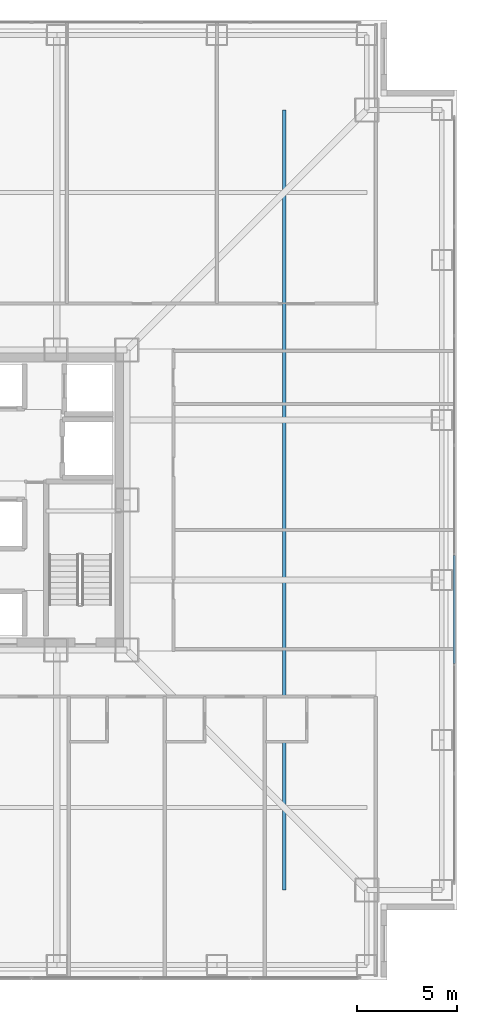
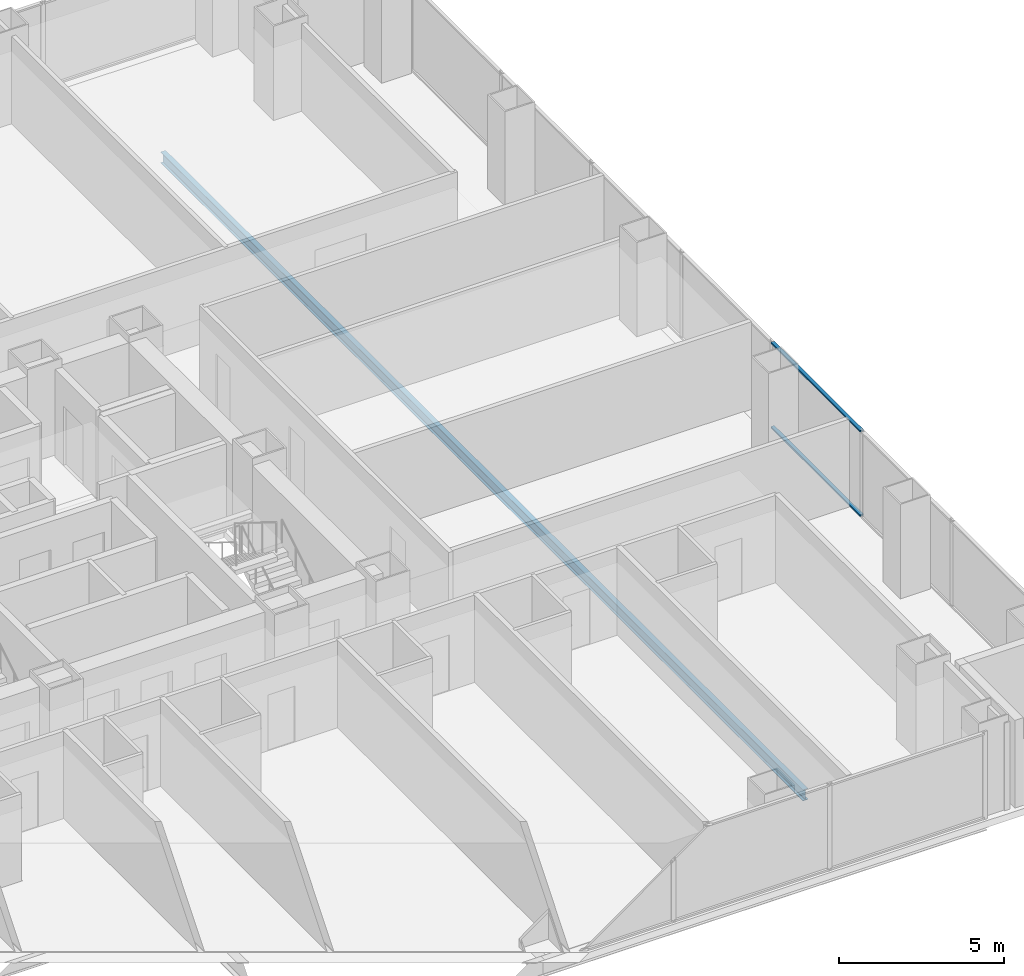
# One storey, part 9 of 20: 2 members, 1 beam, 1 element without a shape of its own.
"""IFC4 building model written with IfcOpenShell, lengths in metres."""

import ifcopenshell
import ifcopenshell.guid

model = None  # the IFC model being written
_history = None  # IfcOwnerHistory: only IFC2X3 demands one
_inside = {}  # id of a spatial element -> (the spatial element, [elements in it])
_under = {}  # id of a project, library or spatial element -> (it, [spatial elements below it])
_declared = {}  # id of a project -> (the project, [libraries it declares])
_typed = {}  # id of a type object -> (the type object, [elements of that type])
_made_of = {}  # id of a material, layer set ... -> (it, [elements and type objects made of it])


def new_model(schema):
    """Start an empty IFC model of exactly this schema.

    Asked for "IFC4X3", IfcOpenShell would pick the latest addendum, in which some entities
    have other attributes; the version numbers below select the first issue.
    IFC2X3 requires an IfcOwnerHistory on every rooted entity: one is made here for all.
    """
    global model, _history
    if schema == "IFC4X3":
        model = ifcopenshell.file(schema_version=(4, 3, 0, 0))
    else:
        model = ifcopenshell.file(schema=schema)
    _inside.clear()
    _under.clear()
    _declared.clear()
    _typed.clear()
    _made_of.clear()
    _history = None
    if model.schema == "IFC2X3":
        org = make("IfcOrganization", Name="unknown")
        user = make(
            "IfcPersonAndOrganization",
            ThePerson=make("IfcPerson", FamilyName="unknown"),
            TheOrganization=org,
        )
        app = make(
            "IfcApplication",
            ApplicationDeveloper=org,
            Version="unknown",
            ApplicationFullName="unknown",
            ApplicationIdentifier="unknown",
        )
        _history = make(
            "IfcOwnerHistory",
            OwningUser=user,
            OwningApplication=app,
            ChangeAction="ADDED",
            CreationDate=0,
        )
    return model


def make(cls, **values):
    """One entity of the class cls with the attributes given. An attribute that is None is left unset."""
    return model.create_entity(
        cls, **{name: value for name, value in values.items() if value is not None}
    )


def rooted(cls, **values):
    """An entity with a GlobalId (a new one), such as an element, a storey or a relation."""
    return make(cls, GlobalId=ifcopenshell.guid.new(), OwnerHistory=_history, **values)


def si_unit(unit_type, name, prefix=None):
    """IfcSIUnit, for example si_unit("LENGTHUNIT", "METRE", prefix="MILLI")."""
    return make("IfcSIUnit", UnitType=unit_type, Prefix=prefix, Name=name)


def assignment(units):
    """IfcUnitAssignment: the units of a project."""
    return None if units is None else make("IfcUnitAssignment", Units=units)


def point(xyz):
    """IfcCartesianPoint."""
    return None if xyz is None else make("IfcCartesianPoint", Coordinates=xyz)


def direction(xyz):
    """IfcDirection."""
    return None if xyz is None else make("IfcDirection", DirectionRatios=xyz)


def frame(location, z_axis=None, x_axis=None):
    """IfcAxis2Placement3D, a coordinate frame: its origin and axes. An axis left out is left unset."""
    return make(
        "IfcAxis2Placement3D",
        Location=point(location),
        Axis=direction(z_axis),
        RefDirection=direction(x_axis),
    )


def frame_2d(location, x_axis=None):
    """IfcAxis2Placement2D, a coordinate frame in the plane: its origin and x axis."""
    return make(
        "IfcAxis2Placement2D", Location=point(location), RefDirection=direction(x_axis)
    )


def origin():
    """The frame at (0, 0, 0) with its axes left unset."""
    return frame((0.0, 0.0, 0.0))


def origin_2d():
    """The frame at (0, 0) in the plane with its x axis left unset."""
    return frame_2d((0.0, 0.0))


def place(relative_to, where):
    """IfcLocalPlacement: puts the frame where relative to a parent placement (None: the world)."""
    return make(
        "IfcLocalPlacement", PlacementRelTo=relative_to, RelativePlacement=where
    )


def context(
    kind, dimensions, precision=None, world=None, true_north=None, identifier=None
):
    """IfcGeometricRepresentationContext, for example the 3D "Model" context."""
    return make(
        "IfcGeometricRepresentationContext",
        ContextIdentifier=identifier,
        ContextType=kind,
        CoordinateSpaceDimension=dimensions,
        Precision=precision,
        WorldCoordinateSystem=world,
        TrueNorth=true_north,
    )


def subcontext(parent, identifier, kind, view, scale=None):
    """IfcGeometricRepresentationSubContext, for example "Body" below "Model"."""
    return make(
        "IfcGeometricRepresentationSubContext",
        ContextIdentifier=identifier,
        ContextType=kind,
        ParentContext=parent,
        TargetScale=scale,
        TargetView=view,
    )


def project(units=None, contexts=None):
    """IfcProject with its units and contexts."""
    return rooted(
        "IfcProject",
        Name="project",
        RepresentationContexts=contexts,
        UnitsInContext=assignment(units),
    )


def spatial(cls, under=None, at=None, **own):
    """A site, building, storey or space (cls), placed at a placement, below another one or the project."""
    s = rooted(cls, ObjectPlacement=at, **own)
    if under is not None:
        _under.setdefault(under.id(), (under, []))[1].append(s)
    return s


def profile(cls, at=None, kind="AREA", **sizes):
    """A parametric profile (cls). Its sizes go by their IFC names, for example OverallWidth=200.0."""
    return make(cls, ProfileType=kind, Position=at, **sizes)


def rectangle(**sizes):
    """IfcRectangleProfileDef."""
    return profile("IfcRectangleProfileDef", **sizes)


def i_section(**sizes):
    """IfcIShapeProfileDef."""
    return profile("IfcIShapeProfileDef", **sizes)


def extrude(swept, where, along, depth):
    """IfcExtrudedAreaSolid: the profile swept, set in the frame where, extruded along a direction by depth."""
    return make(
        "IfcExtrudedAreaSolid",
        SweptArea=swept,
        Position=where,
        ExtrudedDirection=direction(along),
        Depth=depth,
    )


def shape(context_of_items, identifier, shape_type, items):
    """IfcShapeRepresentation: the items that make up one representation, for example the "Body"."""
    return make(
        "IfcShapeRepresentation",
        ContextOfItems=context_of_items,
        RepresentationIdentifier=identifier,
        RepresentationType=shape_type,
        Items=items,
    )


def material(Name=None, Category=None):
    """IfcMaterial."""
    return make("IfcMaterial", Name=Name, Category=Category)


def layer(
    of_material, thickness, ventilated=None, Name=None, Category=None, Priority=None
):
    """IfcMaterialLayer: one layer of a wall or slab, of a material (None: an air gap)."""
    return make(
        "IfcMaterialLayer",
        Material=of_material,
        LayerThickness=thickness,
        IsVentilated=ventilated,
        Name=Name,
        Category=Category,
        Priority=Priority,
    )


def layer_set(layers, Name=None):
    """IfcMaterialLayerSet."""
    return make("IfcMaterialLayerSet", MaterialLayers=layers, LayerSetName=Name)


def material_profile(
    of_material, cross_section, Name=None, Category=None, Priority=None
):
    """IfcMaterialProfile: a cross section and its material."""
    return make(
        "IfcMaterialProfile",
        Name=Name,
        Material=of_material,
        Profile=cross_section,
        Priority=Priority,
        Category=Category,
    )


def profile_set(profiles, Name=None, composite=None):
    """IfcMaterialProfileSet."""
    return make(
        "IfcMaterialProfileSet",
        Name=Name,
        MaterialProfiles=profiles,
        CompositeProfile=composite,
    )


def made_of(thing, what):
    """Note that an element or type object is made of a material, layer set ...; save() writes the relation."""
    if what is not None:
        _made_of.setdefault(what.id(), (what, []))[1].append(thing)
    return thing


def type_object(cls, material=None, **own):
    """A type object (cls), such as IfcWallType, which elements share."""
    return made_of(rooted(cls, **own), material)


def element(
    cls,
    number,
    at=None,
    inside=None,
    cuts=None,
    type_object=None,
    material=None,
    context=None,
    identifier="Body",
    shape_type=None,
    held_by="IfcProductDefinitionShape",
    body=None,
    shapes=None,
    **own,
):
    """One element of the class cls, such as IfcWall. Its Tag is "e" and its number.

    at: its placement. inside: the storey or other place that contains it. cuts: it is an
    opening in that element (IfcRelVoidsElement). A single representation is given by context,
    identifier, shape_type and body (its items); several are given by shapes. held_by: the class
    of the entity that holds the representations. save() writes the other relations.
    """
    e = rooted(cls, Tag="e%d" % number, ObjectPlacement=at, **own)
    if body is not None:
        shapes = [shape(context, identifier, shape_type, body)]
    if shapes is not None:
        e.Representation = make(held_by, Representations=shapes)
    if inside is not None:
        _inside.setdefault(inside.id(), (inside, []))[1].append(e)
    if cuts is not None:
        rooted(
            "IfcRelVoidsElement", RelatingBuildingElement=cuts, RelatedOpeningElement=e
        )
    if type_object is not None:
        _typed.setdefault(type_object.id(), (type_object, []))[1].append(e)
    return made_of(e, material)


def aggregate(whole, parts):
    """IfcRelAggregates: a whole, such as a stair, and the parts it consists of."""
    return rooted("IfcRelAggregates", RelatingObject=whole, RelatedObjects=parts)


def save(model, path):
    """Write the relations noted so far, then the file.

    IfcRelAggregates (storeys below a building ...), IfcRelContainedInSpatialStructure (elements
    in a storey), IfcRelDefinesByType, IfcRelAssociatesMaterial and IfcRelDeclares: one each for
    every whole, place, type object, material and project.
    """
    for whole, parts in _under.values():
        aggregate(whole, parts)
    for where, things in _inside.values():
        rooted(
            "IfcRelContainedInSpatialStructure",
            RelatedElements=things,
            RelatingStructure=where,
        )
    for kind, things in _typed.values():
        rooted("IfcRelDefinesByType", RelatedObjects=things, RelatingType=kind)
    for what, things in _made_of.values():
        rooted("IfcRelAssociatesMaterial", RelatedObjects=things, RelatingMaterial=what)
    for by, libraries in _declared.values():
        rooted("IfcRelDeclares", RelatingContext=by, RelatedDefinitions=libraries)
    model.write(path)


model = new_model("IFC4")

# Units and contexts
model_context = context("Model", 3, precision=1e-05, world=origin(), true_north=direction((0.0, 1.0)))
body_context = subcontext(model_context, "Body", "Model", "MODEL_VIEW")
ifc_project = project(units=[si_unit("LENGTHUNIT", "METRE"), si_unit("AREAUNIT", "SQUARE_METRE"), si_unit("VOLUMEUNIT", "CUBIC_METRE"), si_unit("PLANEANGLEUNIT", "RADIAN"), si_unit("MASSUNIT", "GRAM", prefix="KILO")], contexts=[model_context])

# Site, building, storey
site_placement = place(None, origin())
site = spatial("IfcSite", under=ifc_project, at=site_placement, CompositionType="ELEMENT")
building_placement = place(site_placement, origin())
building = spatial("IfcBuilding", under=site, at=building_placement, Name="Trevonay Congress Spire", CompositionType="ELEMENT")
storey_placement = place(building_placement, frame((0.0, 0.0, 62.0)))
storey = spatial("IfcBuildingStorey", under=building, at=storey_placement, Name="L15", CompositionType="ELEMENT", Elevation=62.0)

# Curtain wall, members
ifc_material_1 = material(Name="Pale Anodised Aluminium EN AW-6063-T6", Category="aluminium")
ifc_layer = layer(ifc_material_1, 0.179931640625, Name="Pale Anodised Aluminium EN AW-6063-T6")
ifc_layer_set = layer_set([ifc_layer], Name="Pale Anodised Aluminium EN AW-6063-T6")
curtain_wall_type = type_object("IfcCurtainWallType", Name="CW-SYS02-HOTEL-PALE-METAL", PredefinedType="NOTDEFINED", material=ifc_layer_set)
curtain_wall_placement = place(storey_placement, origin())
curtain_wall = element("IfcCurtainWall", 1, at=curtain_wall_placement, inside=storey, type_object=curtain_wall_type, Name="L15 E unitised curtain wall", PredefinedType="NOTDEFINED")
ifc_material_profile_1 = material_profile(ifc_material_1, rectangle(XDim=0.1201171875, YDim=0.06005859375, at=origin_2d()), Name="CW-TRANSOM-120-ALUMINIUM")
ifc_profile_set_1 = profile_set([ifc_material_profile_1], Name="Pale Anodised Aluminium EN AW-6063-T6")
member_type = type_object("IfcMemberType", Name="CW-TRANSOM-120-ALUMINIUM", PredefinedType="USERDEFINED", material=ifc_profile_set_1)
member_1_placement = place(storey_placement, frame((23.8798828125, -8.17724609375, 0.06005859375), z_axis=(0.0, 1.0, 0.0), x_axis=(-1.0, 0.0, 0.0)))
member_1 = element("IfcMember", 2, at=member_1_placement, type_object=member_type, Name="CW02 transom 3.1", ObjectType="TRANSOM", PredefinedType="USERDEFINED", context=body_context, shape_type="SweptSolid", body=[
    extrude(rectangle(XDim=0.1201171875, YDim=0.06005859375, at=origin_2d()), origin(), (0.0, 0.0, 1.0), 5.41162109375),
])
member_2_placement = place(storey_placement, frame((23.8798828125, -8.17724609375, 3.18994140625), z_axis=(0.0, 1.0, 0.0), x_axis=(-1.0, 0.0, 0.0)))
member_2 = element("IfcMember", 3, at=member_2_placement, type_object=member_type, Name="CW02 transom 3.2", ObjectType="TRANSOM", PredefinedType="USERDEFINED", context=body_context, shape_type="SweptSolid", body=[
    extrude(rectangle(XDim=0.1201171875, YDim=0.06005859375, at=origin_2d()), origin(), (0.0, 0.0, 1.0), 5.41162109375),
])
aggregate(curtain_wall, [member_1, member_2])

# Beam
ifc_material_2 = material(Name="Steel ASTM A572 Grade 50", Category="steel")
ifc_material_profile_2 = material_profile(ifc_material_2, i_section(OverallWidth=0.177978515625, OverallDepth=0.406982421875, WebThickness=0.0078125, FlangeThickness=0.0126953125, FilletRadius=0.012939453125, at=origin_2d()), Name="W410x60")
ifc_profile_set_2 = profile_set([ifc_material_profile_2], Name="Steel ASTM A572 Grade 50")
beam_type = type_object("IfcBeamType", Name="JS-COMP-W410X60", PredefinedType="JOIST", material=ifc_profile_set_2)
beam_placement = place(storey_placement, frame((15.375, -19.5, -0.45361328125), z_axis=(0.0, 1.0, 0.0), x_axis=(-1.0, 0.0, 0.0)))
element("IfcBeam", 4, at=beam_placement, inside=storey, type_object=beam_type, Name="L15 structural beam JS-L15-RING-E", PredefinedType="JOIST", context=body_context, shape_type="SweptSolid", body=[
    extrude(i_section(OverallWidth=0.177978515625, OverallDepth=0.406982421875, WebThickness=0.0078125, FlangeThickness=0.0126953125, FilletRadius=0.012939453125, at=origin_2d()), origin(), (0.0, 0.0, 1.0), 39.0),
])

save(model, "model.ifc")
